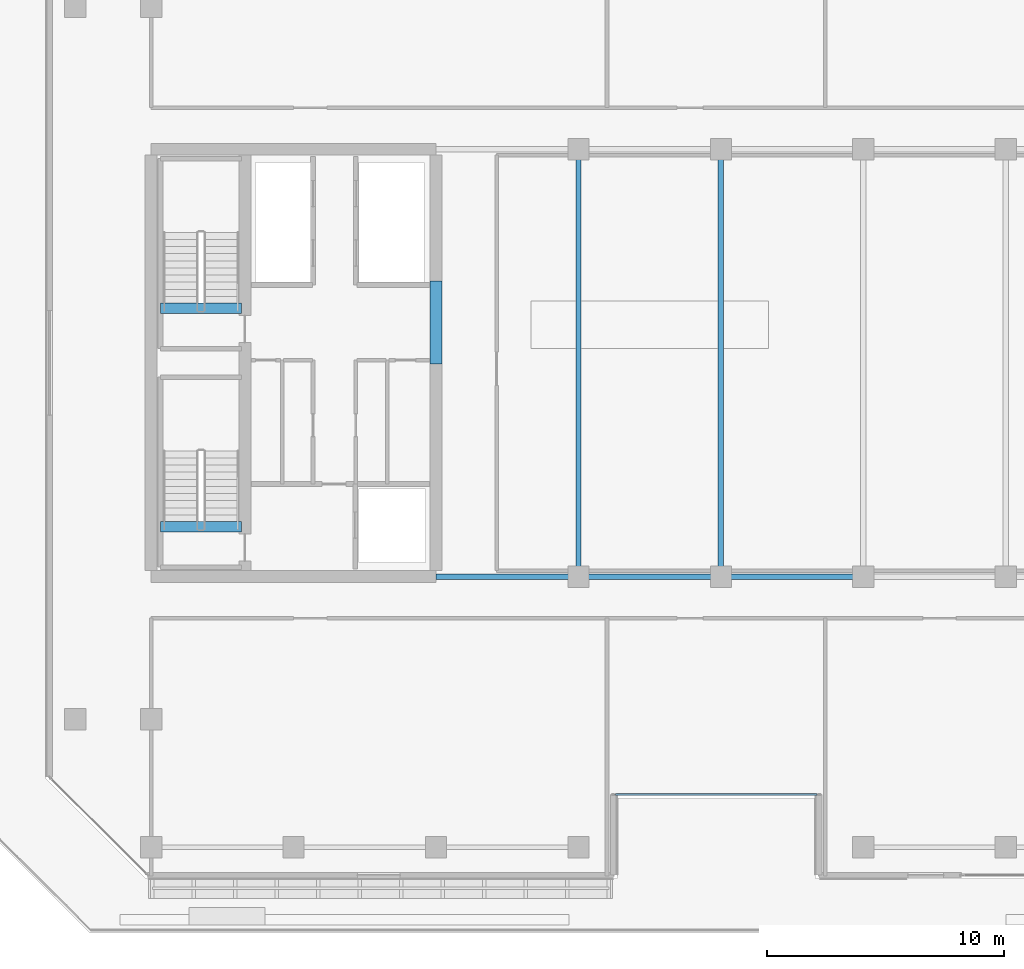
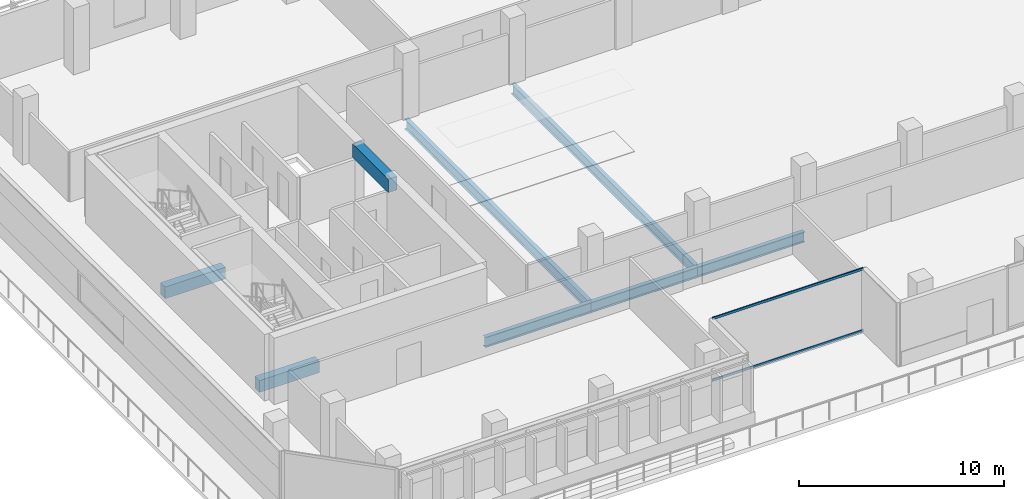
# One storey, part 4 of 30: 8 beams, 2 members, 1 element without a shape of its own.
"""IFC4 building model written with IfcOpenShell, lengths in metres."""

from ifc_helpers import new_model, si_unit, direction, frame, origin, origin_2d, place, context, subcontext, project, spatial, rectangle, hollow_rectangle, i_section, extrude, material, layer, layer_set, material_profile, profile_set, type_object, element, aggregate, save


model = new_model("IFC4")

# Units and contexts
model_context = context("Model", 3, precision=1e-05, world=origin(), true_north=direction((0.0, 1.0)))
body_context = subcontext(model_context, "Body", "Model", "MODEL_VIEW")
ifc_project = project(units=[si_unit("LENGTHUNIT", "METRE"), si_unit("AREAUNIT", "SQUARE_METRE"), si_unit("VOLUMEUNIT", "CUBIC_METRE"), si_unit("PLANEANGLEUNIT", "RADIAN"), si_unit("MASSUNIT", "GRAM", prefix="KILO")], contexts=[model_context])

# Site, building, storey
site_placement = place(None, origin())
site = spatial("IfcSite", under=ifc_project, at=site_placement, CompositionType="ELEMENT")
building_placement = place(site_placement, origin())
building = spatial("IfcBuilding", under=site, at=building_placement, Name="Tanjung Sevakor Pilgrim Tower", CompositionType="ELEMENT")
storey_placement = place(building_placement, frame((0.0, 0.0, 128.0400390625)))
storey = spatial("IfcBuildingStorey", under=building, at=storey_placement, Name="L35", CompositionType="ELEMENT", Elevation=128.0400390625)

# Beams
ifc_material_1 = material(Name="Steel S355J2", Category="steel")
ifc_material_profile_1 = material_profile(ifc_material_1, i_section(OverallWidth=0.230224609375, OverallDepth=0.6171875, WebThickness=0.01318359375, FlangeThickness=0.022216796875, FilletRadius=0.0126953125, at=origin_2d()))
ifc_profile_set_1 = profile_set([ifc_material_profile_1], Name="Steel S355J2")
beam_type_1 = type_object("IfcBeamType", Name="BM-B-G3-UB_610x229x140", PredefinedType="BEAM", material=ifc_profile_set_1)
for number, where, z_axis, x_axis, name in (
    (1, (36.0, 24.60009765625, -0.588623046875), (1.0, 0.0, 0.0), (0.0, 1.0, 0.0), "L35 Primary Floor Girder MAIN Y246-01"),
    (2, (42.0, 24.60009765625, -0.588623046875), (1.0, 0.0, 0.0), (0.0, 1.0, 0.0), "L35 Primary Floor Girder MAIN Y246-02"),
    (3, (48.0, 24.60009765625, -0.588623046875), (1.0, 0.0, 0.0), (0.0, 1.0, 0.0), "L35 Primary Floor Girder MAIN Y246-03"),
):
    element("IfcBeam", number, at=place(storey_placement, frame(where, z_axis=z_axis, x_axis=x_axis)), inside=storey, type_object=beam_type_1, Name=name, PredefinedType="BEAM", context=body_context, shape_type="SweptSolid", body=[
        extrude(i_section(OverallWidth=0.230224609375, OverallDepth=0.6171875, WebThickness=0.01318359375, FlangeThickness=0.022216796875, FilletRadius=0.0126953125, at=origin_2d()), origin(), (0.0, 0.0, 1.0), 6.0),
    ])
ifc_material_2 = material(Name="Steel S355J2", Category="steel")
ifc_material_profile_2 = material_profile(ifc_material_2, i_section(OverallWidth=0.22900390625, OverallDepth=0.6123046875, WebThickness=0.011962890625, FlangeThickness=0.01953125, FilletRadius=0.0126953125, at=origin_2d()))
ifc_profile_set_2 = profile_set([ifc_material_profile_2], Name="Steel S355J2")
beam_type_2 = type_object("IfcBeamType", Name="BM-B-G4-UB_610x229x125", PredefinedType="BEAM", material=ifc_profile_set_2)
for number, where, z_axis, x_axis, name in (
    (4, (42.0, 24.60009765625, -0.586181640625), (0.0, 1.0, 0.0), (-1.0, 0.0, 0.0), "L35 MAIN Girder 001"),
    (5, (48.0, 24.60009765625, -0.586181640625), (0.0, 1.0, 0.0), (-1.0, 0.0, 0.0), "L35 MAIN Girder 002"),
):
    element("IfcBeam", number, at=place(storey_placement, frame(where, z_axis=z_axis, x_axis=x_axis)), inside=storey, type_object=beam_type_2, Name=name, PredefinedType="BEAM", context=body_context, shape_type="SweptSolid", body=[
        extrude(i_section(OverallWidth=0.22900390625, OverallDepth=0.6123046875, WebThickness=0.011962890625, FlangeThickness=0.01953125, FilletRadius=0.0126953125, at=origin_2d()), origin(), (0.0, 0.0, 1.0), 18.0),
    ])
ifc_material_3 = material(Name="Concrete C60/75", Category="concrete")
ifc_material_profile_3 = material_profile(ifc_material_3, rectangle(XDim=0.5, YDim=0.800048828125, at=origin_2d()))
ifc_profile_set_3 = profile_set([ifc_material_profile_3], Name="Concrete C60/75")
beam_type_3 = type_object("IfcBeamType", Name="BM-B-LN2-RC-BM_500x800", PredefinedType="LINTEL", material=ifc_profile_set_3)
beam_placement = place(storey_placement, frame((36.0, 33.550048828125, 3.33984375), z_axis=(0.0, 1.0, 0.0), x_axis=(-1.0, 0.0, 0.0)))
element("IfcBeam", 6, at=beam_placement, inside=storey, type_object=beam_type_3, Name="L35 W Core Coupling Lintel", PredefinedType="LINTEL", context=body_context, shape_type="SweptSolid", body=[
    extrude(rectangle(XDim=0.5, YDim=0.800048828125, at=origin_2d()), origin(), (0.0, 0.0, 1.0), 3.5),
])
ifc_material_4 = material(Name="Concrete C60/75", Category="concrete")
ifc_material_profile_4 = material_profile(ifc_material_4, rectangle(XDim=0.449951171875, YDim=0.699951171875, at=origin_2d()))
ifc_profile_set_4 = profile_set([ifc_material_profile_4], Name="Concrete C60/75")
beam_type_4 = type_object("IfcBeamType", Name="BM-B-LN3-RC-BM_450x700", PredefinedType="LINTEL", material=ifc_profile_set_4)
for number, where, z_axis, x_axis, name in (
    (7, (24.39990234375, 26.699951171875, -0.35009765625), (1.0, 0.0, 0.0), (0.0, 1.0, 0.0), "L35 TS-W1 Stair Threshold Beam"),
    (8, (24.39990234375, 35.89990234375, -0.35009765625), (1.0, 0.0, 0.0), (0.0, 1.0, 0.0), "L35 TS-W2 Stair Threshold Beam"),
):
    element("IfcBeam", number, at=place(storey_placement, frame(where, z_axis=z_axis, x_axis=x_axis)), inside=storey, type_object=beam_type_4, Name=name, PredefinedType="LINTEL", context=body_context, shape_type="SweptSolid", body=[
        extrude(rectangle(XDim=0.449951171875, YDim=0.699951171875, at=origin_2d()), origin(), (0.0, 0.0, 1.0), 3.400146484375),
    ])

# Curtain wall, members
ifc_material_5 = material(Name="Aluminium 6063-T6 and Low-E Glass", Category="aluminium")
ifc_layer = layer(ifc_material_5, 0.179931640625)
ifc_layer_set = layer_set([ifc_layer], Name="CW-SYS-CLEFT")
curtain_wall_type = type_object("IfcCurtainWallType", Name="CW-SYS-CLEFT", PredefinedType="NOTDEFINED", material=ifc_layer_set)
curtain_wall_placement = place(storey_placement, origin())
curtain_wall = element("IfcCurtainWall", 9, at=curtain_wall_placement, inside=storey, type_object=curtain_wall_type, Name="L35 Curtain Wall CW-CLF-L35-2", PredefinedType="NOTDEFINED")
ifc_material_6 = material(Name="Aluminium 6063-T6", Category="aluminium")
ifc_material_profile_5 = material_profile(ifc_material_6, hollow_rectangle(XDim=0.06494140625, YDim=0.139892578125, WallThickness=0.00390625, at=origin_2d()))
ifc_profile_set_5 = profile_set([ifc_material_profile_5], Name="Aluminium 6063-T6")
member_type = type_object("IfcMemberType", Name="TYPE-CWT-1", PredefinedType="USERDEFINED", material=ifc_profile_set_5)
member_1_placement = place(storey_placement, frame((43.550048828125, 15.425048828125, 0.032470703125), z_axis=(1.0, 0.0, 0.0), x_axis=(0.0, 1.0, 0.0)))
member_1 = element("IfcMember", 10, at=member_1_placement, type_object=member_type, Name="CW-CLF transom 1.1", ObjectType="TRANSOM", PredefinedType="USERDEFINED", context=body_context, shape_type="SweptSolid", body=[
    extrude(hollow_rectangle(XDim=0.06494140625, YDim=0.139892578125, WallThickness=0.00390625, at=origin_2d()), origin(), (0.0, 0.0, 1.0), 8.5),
])
member_2_placement = place(storey_placement, frame((43.550048828125, 15.425048828125, 3.70751953125), z_axis=(1.0, 0.0, 0.0), x_axis=(0.0, 1.0, 0.0)))
member_2 = element("IfcMember", 11, at=member_2_placement, type_object=member_type, Name="CW-CLF transom 1.2", ObjectType="TRANSOM", PredefinedType="USERDEFINED", context=body_context, shape_type="SweptSolid", body=[
    extrude(hollow_rectangle(XDim=0.06494140625, YDim=0.139892578125, WallThickness=0.00390625, at=origin_2d()), origin(), (0.0, 0.0, 1.0), 8.5),
])
aggregate(curtain_wall, [member_1, member_2])

save(model, "model.ifc")
